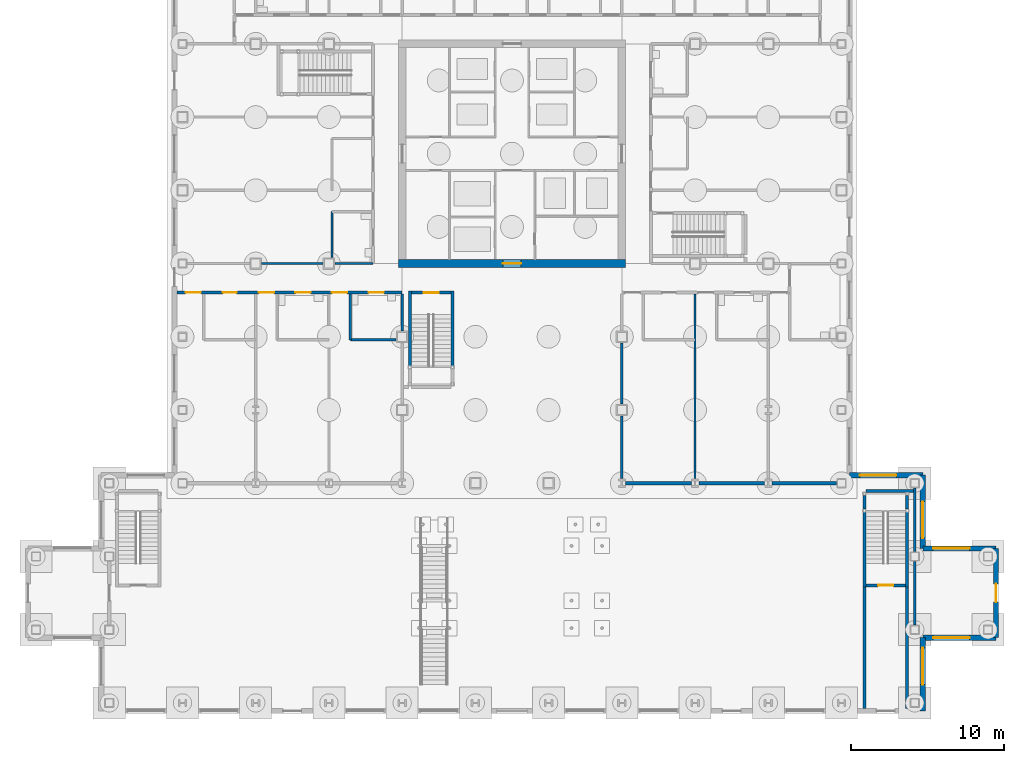
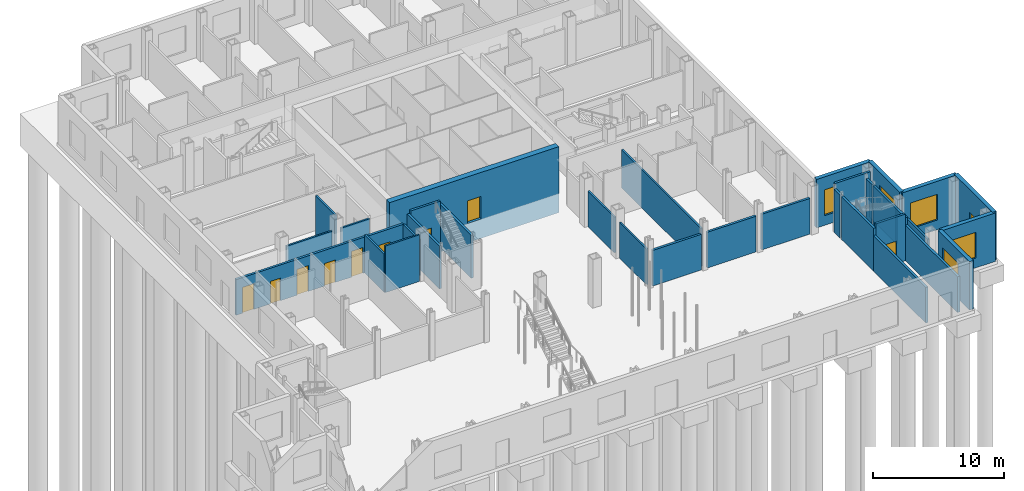
# One storey, part 13 of 22: 33 walls, 10 doors, 5 windows, 15 openings.
"""IFC4 building model written with IfcOpenShell, lengths in metres."""

from ifc_helpers import new_model, si_unit, direction, frame, frame_2d, origin, place, context, subcontext, project, spatial, rectangle, extrude, material, layer, layer_set, type_object, element, fill, save


model = new_model("IFC4")

# Units and contexts
model_context = context("Model", 3, precision=1e-05, world=origin(), true_north=direction((0.0, 1.0)))
body_context = subcontext(model_context, "Body", "Model", "MODEL_VIEW")
ifc_project = project(units=[si_unit("LENGTHUNIT", "METRE"), si_unit("AREAUNIT", "SQUARE_METRE"), si_unit("VOLUMEUNIT", "CUBIC_METRE"), si_unit("PLANEANGLEUNIT", "RADIAN"), si_unit("MASSUNIT", "GRAM", prefix="KILO")], contexts=[model_context])

# Site, building, storey
site_placement = place(None, origin())
site = spatial("IfcSite", under=ifc_project, at=site_placement, CompositionType="ELEMENT")
building_placement = place(site_placement, origin())
building = spatial("IfcBuilding", under=site, at=building_placement, Name="Kvirike Care Tower", CompositionType="ELEMENT")
storey_placement = place(building_placement, origin())
storey = spatial("IfcBuildingStorey", under=building, at=storey_placement, Name="L00", CompositionType="ELEMENT", Elevation=0.0)

# Walls
ifc_material_1 = material(Name="Plasterboard partition", Category="gypsum")
ifc_layer_1 = layer(ifc_material_1, 0.14990234375)
ifc_layer_set_1 = layer_set([ifc_layer_1], Name="CLINIC PARTITION 150")
wall_type_1 = type_object("IfcWallType", Name="CLINIC PARTITION 150", PredefinedType="PARTITIONING", material=ifc_layer_set_1)
wall_1_placement = place(storey_placement, frame((11.0, 23.800048828125, 0.0), z_axis=(0.0, 0.0, 1.0), x_axis=(0.0, 1.0, 0.0)))
element("IfcWall", 1, at=wall_1_placement, inside=storey, type_object=wall_type_1, Name="Clinic Partition 150 L00", PredefinedType="PARTITIONING", context=body_context, shape_type="SweptSolid", body=[
    extrude(rectangle(XDim=3.0, YDim=0.14990234375, at=frame_2d((1.5, 0.0))), origin(), (0.0, 0.0, 1.0), 3.550048828125),
])
for number, where, z_axis, x_axis, name in (
    (2, (11.0, 23.800048828125, 0.0), (0.0, 0.0, 1.0), (1.0, 0.0, 0.0), "Clinic Partition 150 L00"),
    (3, (9.800048828125, 32.199951171875, 0.0), (0.0, 0.0, 1.0), (0.0, -1.0, 0.0), "Clinic Partition 150 L00"),
):
    element("IfcWall", number, at=place(storey_placement, frame(where, z_axis=z_axis, x_axis=x_axis)), inside=storey, type_object=wall_type_1, Name=name, PredefinedType="PARTITIONING", context=body_context, shape_type="SweptSolid", body=[
        extrude(rectangle(XDim=3.0048828125, YDim=0.14990234375, at=frame_2d((1.50244140625, 0.0))), origin(), (0.0, 0.0, 1.0), 4.330078125),
    ])
wall_2_placement = place(storey_placement, frame((33.60009765625, 14.70458984375, 0.0), z_axis=(0.0, 0.0, 1.0), x_axis=(0.0, 1.0, 0.0)))
element("IfcWall", 4, at=wall_2_placement, inside=storey, type_object=wall_type_1, Name="Clinic Partition 150 L00", PredefinedType="PARTITIONING", context=body_context, shape_type="SweptSolid", body=[
    extrude(rectangle(XDim=12.095458984375, YDim=0.14990234375, at=frame_2d((6.0478515625, 0.0))), origin(), (0.0, 0.0, 1.0), 3.550048828125),
])
wall_3_placement = place(storey_placement, frame((48.0, 5.1201171875, 0.0), z_axis=(0.0, 0.0, 1.0), x_axis=(0.0, 1.0, 0.0)))
element("IfcWall", 5, at=wall_3_placement, inside=storey, type_object=wall_type_1, Name="Clinic Partition 150 L00", PredefinedType="PARTITIONING", context=body_context, shape_type="SweptSolid", body=[
    extrude(rectangle(XDim=4.159912109375, YDim=0.14990234375, at=frame_2d((2.080078125, 0.0))), origin(), (0.0, 0.0, 1.0), 3.320068359375),
])
wall_4_placement = place(storey_placement, frame((48.0, 9.919921875, 0.0), z_axis=(0.0, 0.0, 1.0), x_axis=(0.0, 1.0, 0.0)))
element("IfcWall", 6, at=wall_4_placement, inside=storey, type_object=wall_type_1, Name="Clinic Partition 150 L00", PredefinedType="PARTITIONING", context=body_context, shape_type="SweptSolid", body=[
    extrude(rectangle(XDim=4.16015625, YDim=0.14990234375, at=frame_2d((2.080078125, 0.0))), origin(), (0.0, 0.0, 1.0), 3.320068359375),
])
wall_5_placement = place(storey_placement, frame((12.5, 28.800048828125, 0.0), z_axis=(0.0, 0.0, 1.0), x_axis=(-1.0, 0.0, 0.0)))
element("IfcWall", 7, at=wall_5_placement, inside=storey, type_object=wall_type_1, Name="Clinic Partition 150 L00", PredefinedType="PARTITIONING", context=body_context, shape_type="SweptSolid", body=[
    extrude(rectangle(XDim=2.5048828125, YDim=0.14990234375, at=frame_2d((1.25244140625, 0.0))), origin(), (0.0, 0.0, 1.0), 3.320068359375),
])
wall_6_placement = place(storey_placement, frame((9.205078125, 28.800048828125, 0.0), z_axis=(0.0, 0.0, 1.0), x_axis=(-1.0, 0.0, 0.0)))
element("IfcWall", 8, at=wall_6_placement, inside=storey, type_object=wall_type_1, Name="Clinic Partition 150 L00", PredefinedType="PARTITIONING", context=body_context, shape_type="SweptSolid", body=[
    extrude(rectangle(XDim=4.010009765625, YDim=0.14990234375, at=frame_2d((2.0048828125, 0.0))), origin(), (0.0, 0.0, 1.0), 3.320068359375),
])
wall_7_placement = place(storey_placement, frame((14.39990234375, 24.39501953125, 0.0), z_axis=(0.0, 0.0, 1.0), x_axis=(0.0, 1.0, 0.0)))
element("IfcWall", 9, at=wall_7_placement, inside=storey, type_object=wall_type_1, Name="Clinic Partition 150 L00", PredefinedType="PARTITIONING", context=body_context, shape_type="SweptSolid", body=[
    extrude(rectangle(XDim=2.405029296875, YDim=0.14990234375, at=frame_2d((1.20263671875, 0.0))), origin(), (0.0, 0.0, 1.0), 3.320068359375),
])
wall_8_placement = place(storey_placement, frame((28.800048828125, 14.70458984375, 0.0), z_axis=(0.0, 0.0, 1.0), x_axis=(0.0, 1.0, 0.0)))
element("IfcWall", 10, at=wall_8_placement, inside=storey, type_object=wall_type_1, Name="Clinic Partition 150 L00", PredefinedType="PARTITIONING", context=body_context, shape_type="SweptSolid", body=[
    extrude(rectangle(XDim=4.100341796875, YDim=0.14990234375, at=frame_2d((2.05029296875, 0.0))), origin(), (0.0, 0.0, 1.0), 3.320068359375),
])
wall_9_placement = place(storey_placement, frame((28.800048828125, 19.594970703125, 0.0), z_axis=(0.0, 0.0, 1.0), x_axis=(0.0, 1.0, 0.0)))
element("IfcWall", 11, at=wall_9_placement, inside=storey, type_object=wall_type_1, Name="Clinic Partition 150 L00", PredefinedType="PARTITIONING", context=body_context, shape_type="SweptSolid", body=[
    extrude(rectangle(XDim=4.010009765625, YDim=0.14990234375, at=frame_2d((2.0048828125, 0.0))), origin(), (0.0, 0.0, 1.0), 3.320068359375),
])

# Wall, opening, door
ifc_material_2 = material(Name="Concrete C60/75", Category="concrete")
ifc_layer_2 = layer(ifc_material_2, 0.5)
ifc_layer_set_2 = layer_set([ifc_layer_2], Name="CORE WALL 500 C60-75")
wall_type_2 = type_object("IfcWallType", Name="CORE WALL 500 C60-75", PredefinedType="SHEAR", material=ifc_layer_set_2)
wall_10_placement = place(storey_placement, frame((14.14990234375, 28.800048828125, -1.800048828125), z_axis=(0.0, 0.0, 1.0), x_axis=(1.0, 0.0, 0.0)))
wall_10 = element("IfcWall", 12, at=wall_10_placement, inside=storey, type_object=wall_type_2, Name="Core wall S L00", PredefinedType="SHEAR", context=body_context, shape_type="SweptSolid", body=[
    extrude(rectangle(XDim=14.900146484375, YDim=0.5, at=frame_2d((7.4501953125, 0.0))), origin(), (0.0, 0.0, 1.0), 6.130126953125),
])
opening_1_placement = place(wall_10_placement, frame((6.85009765625, 0.0, 1.800048828125)))
opening_1 = element("IfcOpeningElement", 13, at=opening_1_placement, cuts=wall_10, Name="Opening 00-060", PredefinedType="OPENING", context=body_context, shape_type="SweptSolid", body=[
    extrude(rectangle(XDim=1.199951171875, YDim=2.10009765625, at=frame_2d((0.60009765625, 1.050048828125))), frame((0.0, 0.260498046875, 0.0), z_axis=(0.0, -1.0, 0.0), x_axis=(1.0, 0.0, 0.0)), (0.0, 0.0, 1.0), 0.52099609375),
])
ifc_material_3 = material(Name="Timber door set", Category="wood")
door_type_1 = type_object("IfcDoorType", Name="CORE DOOR 1200", OperationType="SINGLE_SWING_LEFT", PredefinedType="DOOR", material=ifc_material_3)
door_1_placement = place(opening_1_placement, origin())
door_1 = element("IfcDoor", 14, at=door_1_placement, inside=storey, type_object=door_type_1, Name="Core door S L00", OperationType="SINGLE_SWING_LEFT", OverallHeight=2.10009765625, OverallWidth=1.199951171875, PredefinedType="DOOR", context=body_context, shape_type="SweptSolid", body=[
    extrude(rectangle(XDim=1.199951171875, YDim=2.10009765625, at=frame_2d((0.60009765625, 1.050048828125))), frame((0.0, 0.02685546875, 0.0), z_axis=(0.0, -1.0, 0.0), x_axis=(1.0, 0.0, 0.0)), (0.0, 0.0, 1.0), 0.053955078125),
])
fill(opening_1, door_1)

# Wall, openings, doors
ifc_material_4 = material(Name="Plasterboard corridor wall", Category="gypsum")
ifc_layer_3 = layer(ifc_material_4, 0.199951171875)
ifc_layer_set_3 = layer_set([ifc_layer_3], Name="CORRIDOR WALL 200")
wall_type_3 = type_object("IfcWallType", Name="CORRIDOR WALL 200", PredefinedType="PARTITIONING", material=ifc_layer_set_3)
wall_11_placement = place(storey_placement, frame((-0.35009765625, 26.89990234375, 0.0), z_axis=(0.0, 0.0, 1.0), x_axis=(1.0, 0.0, 0.0)))
wall_11 = element("IfcWall", 15, at=wall_11_placement, inside=storey, type_object=wall_type_3, Name="Corridor Wall 200 L00", PredefinedType="PARTITIONING", context=body_context, shape_type="SweptSolid", body=[
    extrude(rectangle(XDim=14.75, YDim=0.199951171875, at=frame_2d((7.375, 0.0))), origin(), (0.0, 0.0, 1.0), 3.320068359375),
])
opening_2_placement = place(wall_11_placement, frame((0.550048828125, 0.0, 0.0)))
opening_2 = element("IfcOpeningElement", 16, at=opening_2_placement, cuts=wall_11, Name="Opening 00-001", PredefinedType="OPENING", context=body_context, shape_type="SweptSolid", body=[
    extrude(rectangle(XDim=1.0, YDim=2.39990234375, at=frame_2d((0.5, 1.199951171875))), frame((0.0, 0.110595703125, 0.0), z_axis=(0.0, -1.0, 0.0), x_axis=(1.0, 0.0, 0.0)), (0.0, 0.0, 1.0), 0.220947265625),
])
opening_3_placement = place(wall_11_placement, frame((5.35009765625, 0.0, 0.0)))
opening_3 = element("IfcOpeningElement", 17, at=opening_3_placement, cuts=wall_11, Name="Opening 00-002", PredefinedType="OPENING", context=body_context, shape_type="SweptSolid", body=[
    extrude(rectangle(XDim=1.0, YDim=2.39990234375, at=frame_2d((0.5, 1.199951171875))), frame((0.0, 0.110595703125, 0.0), z_axis=(0.0, -1.0, 0.0), x_axis=(1.0, 0.0, 0.0)), (0.0, 0.0, 1.0), 0.220947265625),
])
opening_4_placement = place(wall_11_placement, frame((10.14990234375, 0.0, 0.0)))
opening_4 = element("IfcOpeningElement", 18, at=opening_4_placement, cuts=wall_11, Name="Opening 00-003", PredefinedType="OPENING", context=body_context, shape_type="SweptSolid", body=[
    extrude(rectangle(XDim=1.0, YDim=2.39990234375, at=frame_2d((0.5, 1.199951171875))), frame((0.0, 0.110595703125, 0.0), z_axis=(0.0, -1.0, 0.0), x_axis=(1.0, 0.0, 0.0)), (0.0, 0.0, 1.0), 0.220947265625),
])
opening_5_placement = place(wall_11_placement, frame((3.0, 0.0, 0.0)))
opening_5 = element("IfcOpeningElement", 19, at=opening_5_placement, cuts=wall_11, Name="Opening 00-004", PredefinedType="OPENING", context=body_context, shape_type="SweptSolid", body=[
    extrude(rectangle(XDim=0.89990234375, YDim=2.10009765625, at=frame_2d((0.449951171875, 1.050048828125))), frame((0.0, 0.110595703125, 0.0), z_axis=(0.0, -1.0, 0.0), x_axis=(1.0, 0.0, 0.0)), (0.0, 0.0, 1.0), 0.220947265625),
])
opening_6_placement = place(wall_11_placement, frame((7.75, 0.0, 0.0)))
opening_6 = element("IfcOpeningElement", 20, at=opening_6_placement, cuts=wall_11, Name="Opening 00-005", PredefinedType="OPENING", context=body_context, shape_type="SweptSolid", body=[
    extrude(rectangle(XDim=1.0, YDim=2.10009765625, at=frame_2d((0.5, 1.050048828125))), frame((0.0, 0.110595703125, 0.0), z_axis=(0.0, -1.0, 0.0), x_axis=(1.0, 0.0, 0.0)), (0.0, 0.0, 1.0), 0.220947265625),
])
opening_7_placement = place(wall_11_placement, frame((12.550048828125, 0.0, 0.0)))
opening_7 = element("IfcOpeningElement", 21, at=opening_7_placement, cuts=wall_11, Name="Opening 00-006", PredefinedType="OPENING", context=body_context, shape_type="SweptSolid", body=[
    extrude(rectangle(XDim=1.0, YDim=2.10009765625, at=frame_2d((0.5, 1.050048828125))), frame((0.0, 0.110595703125, 0.0), z_axis=(0.0, -1.0, 0.0), x_axis=(1.0, 0.0, 0.0)), (0.0, 0.0, 1.0), 0.220947265625),
])
ifc_material_5 = material(Name="Timber door set", Category="wood")
door_type_2 = type_object("IfcDoorType", Name="CONSULTING ROOM DOOR 1000", OperationType="SINGLE_SWING_LEFT", PredefinedType="DOOR", material=ifc_material_5)
door_2_placement = place(opening_2_placement, frame((1.0, 0.0, 0.0), z_axis=(0.0, 0.0, 1.0), x_axis=(-1.0, 0.0, 0.0)))
door_2 = element("IfcDoor", 22, at=door_2_placement, inside=storey, type_object=door_type_2, Name="Outpatient consulting room door", OperationType="SINGLE_SWING_RIGHT", OverallHeight=2.39990234375, OverallWidth=1.0, PredefinedType="DOOR", context=body_context, shape_type="SweptSolid", body=[
    extrude(rectangle(XDim=1.0, YDim=2.39990234375, at=frame_2d((0.5, 1.199951171875))), frame((0.0, 0.02685546875, 0.0), z_axis=(0.0, -1.0, 0.0), x_axis=(1.0, 0.0, 0.0)), (0.0, 0.0, 1.0), 0.053955078125),
])
fill(opening_2, door_2)
door_3_placement = place(opening_3_placement, frame((1.0, 0.0, 0.0), z_axis=(0.0, 0.0, 1.0), x_axis=(-1.0, 0.0, 0.0)))
door_3 = element("IfcDoor", 23, at=door_3_placement, inside=storey, type_object=door_type_2, Name="Outpatient consulting room door", OperationType="SINGLE_SWING_RIGHT", OverallHeight=2.39990234375, OverallWidth=1.0, PredefinedType="DOOR", context=body_context, shape_type="SweptSolid", body=[
    extrude(rectangle(XDim=1.0, YDim=2.39990234375, at=frame_2d((0.5, 1.199951171875))), frame((0.0, 0.02685546875, 0.0), z_axis=(0.0, -1.0, 0.0), x_axis=(1.0, 0.0, 0.0)), (0.0, 0.0, 1.0), 0.053955078125),
])
fill(opening_3, door_3)
door_4_placement = place(opening_4_placement, frame((1.0, 0.0, 0.0), z_axis=(0.0, 0.0, 1.0), x_axis=(-1.0, 0.0, 0.0)))
door_4 = element("IfcDoor", 24, at=door_4_placement, inside=storey, type_object=door_type_2, Name="Outpatient consulting room door", OperationType="SINGLE_SWING_RIGHT", OverallHeight=2.39990234375, OverallWidth=1.0, PredefinedType="DOOR", context=body_context, shape_type="SweptSolid", body=[
    extrude(rectangle(XDim=1.0, YDim=2.39990234375, at=frame_2d((0.5, 1.199951171875))), frame((0.0, 0.02685546875, 0.0), z_axis=(0.0, -1.0, 0.0), x_axis=(1.0, 0.0, 0.0)), (0.0, 0.0, 1.0), 0.053955078125),
])
fill(opening_4, door_4)
ifc_material_6 = material(Name="Timber door set", Category="wood")
door_type_3 = type_object("IfcDoorType", Name="STORE DOOR 900", OperationType="SINGLE_SWING_LEFT", PredefinedType="DOOR", material=ifc_material_6)
door_5_placement = place(opening_5_placement, frame((0.89990234375, 0.0, 0.0), z_axis=(0.0, 0.0, 1.0), x_axis=(-1.0, 0.0, 0.0)))
door_5 = element("IfcDoor", 25, at=door_5_placement, inside=storey, type_object=door_type_3, Name="Clean utility door", OperationType="SINGLE_SWING_RIGHT", OverallHeight=2.10009765625, OverallWidth=0.89990234375, PredefinedType="DOOR", context=body_context, shape_type="SweptSolid", body=[
    extrude(rectangle(XDim=0.89990234375, YDim=2.10009765625, at=frame_2d((0.449951171875, 1.050048828125))), frame((0.0, 0.02685546875, 0.0), z_axis=(0.0, -1.0, 0.0), x_axis=(1.0, 0.0, 0.0)), (0.0, 0.0, 1.0), 0.053955078125),
])
fill(opening_5, door_5)
ifc_material_7 = material(Name="Timber door set", Category="wood")
door_type_4 = type_object("IfcDoorType", Name="WC DOOR 1000", OperationType="SINGLE_SWING_LEFT", PredefinedType="DOOR", material=ifc_material_7)
door_6_placement = place(opening_6_placement, frame((1.0, 0.0, 0.0), z_axis=(0.0, 0.0, 1.0), x_axis=(-1.0, 0.0, 0.0)))
door_6 = element("IfcDoor", 26, at=door_6_placement, inside=storey, type_object=door_type_4, Name="Accessible WC door", OperationType="SINGLE_SWING_LEFT", OverallHeight=2.10009765625, OverallWidth=1.0, PredefinedType="DOOR", context=body_context, shape_type="SweptSolid", body=[
    extrude(rectangle(XDim=1.0, YDim=2.10009765625, at=frame_2d((0.5, 1.050048828125))), frame((0.0, 0.02685546875, 0.0), z_axis=(0.0, -1.0, 0.0), x_axis=(1.0, 0.0, 0.0)), (0.0, 0.0, 1.0), 0.053955078125),
])
fill(opening_6, door_6)
door_7_placement = place(opening_7_placement, frame((1.0, 0.0, 0.0), z_axis=(0.0, 0.0, 1.0), x_axis=(-1.0, 0.0, 0.0)))
door_7 = element("IfcDoor", 27, at=door_7_placement, inside=storey, type_object=door_type_4, Name="Staff WC door", OperationType="SINGLE_SWING_LEFT", OverallHeight=2.10009765625, OverallWidth=1.0, PredefinedType="DOOR", context=body_context, shape_type="SweptSolid", body=[
    extrude(rectangle(XDim=1.0, YDim=2.10009765625, at=frame_2d((0.5, 1.050048828125))), frame((0.0, 0.02685546875, 0.0), z_axis=(0.0, -1.0, 0.0), x_axis=(1.0, 0.0, 0.0)), (0.0, 0.0, 1.0), 0.053955078125),
])
fill(opening_7, door_7)

# Walls
ifc_material_8 = material(Name="Plasterboard party wall", Category="gypsum")
ifc_layer_4 = layer(ifc_material_8, 0.199951171875)
ifc_layer_set_4 = layer_set([ifc_layer_4], Name="PARTY WALL 200")
wall_type_4 = type_object("IfcWallType", Name="PARTY WALL 200", PredefinedType="PARTITIONING", material=ifc_layer_set_4)
wall_12_placement = place(storey_placement, frame((29.047119140625, 14.39990234375, 0.0), z_axis=(0.0, 0.0, 1.0), x_axis=(1.0, 0.0, 0.0)))
element("IfcWall", 28, at=wall_12_placement, inside=storey, type_object=wall_type_4, Name="Party Wall 200 L00", PredefinedType="PARTITIONING", context=body_context, shape_type="SweptSolid", body=[
    extrude(rectangle(XDim=4.305908203125, YDim=0.199951171875, at=frame_2d((2.15283203125, 0.0))), origin(), (0.0, 0.0, 1.0), 3.320068359375),
])
wall_13_placement = place(storey_placement, frame((33.846923828125, 14.39990234375, 0.0), z_axis=(0.0, 0.0, 1.0), x_axis=(1.0, 0.0, 0.0)))
element("IfcWall", 29, at=wall_13_placement, inside=storey, type_object=wall_type_4, Name="Party Wall 200 L00", PredefinedType="PARTITIONING", context=body_context, shape_type="SweptSolid", body=[
    extrude(rectangle(XDim=4.30615234375, YDim=0.199951171875, at=frame_2d((2.153076171875, 0.0))), origin(), (0.0, 0.0, 1.0), 3.320068359375),
])
wall_14_placement = place(storey_placement, frame((38.64697265625, 14.39990234375, 0.0), z_axis=(0.0, 0.0, 1.0), x_axis=(1.0, 0.0, 0.0)))
element("IfcWall", 30, at=wall_14_placement, inside=storey, type_object=wall_type_4, Name="Party Wall 200 L00", PredefinedType="PARTITIONING", context=body_context, shape_type="SweptSolid", body=[
    extrude(rectangle(XDim=4.23291015625, YDim=0.199951171875, at=frame_2d((2.116455078125, 0.0))), origin(), (0.0, 0.0, 1.0), 3.320068359375),
])

# Wall, opening, window
ifc_material_9 = material(Name="Bronze-clad concrete wall", Category="concrete")
ifc_layer_5 = layer(ifc_material_9, 0.35009765625)
ifc_layer_set_5 = layer_set([ifc_layer_5], Name="PODIUM BASE WALL 350")
wall_type_5 = type_object("IfcWallType", Name="PODIUM BASE WALL 350", PredefinedType="SOLIDWALL", material=ifc_layer_set_5)
wall_15_placement = place(storey_placement, frame((48.52490234375, -0.52490234375, 0.0), z_axis=(0.0, 0.0, 1.0), x_axis=(0.0, 1.0, 0.0)))
wall_15 = element("IfcWall", 31, at=wall_15_placement, inside=storey, type_object=wall_type_5, Name="Podium base wall face 2", PredefinedType="SOLIDWALL", context=body_context, shape_type="SweptSolid", body=[
    extrude(rectangle(XDim=4.7998046875, YDim=0.35009765625, at=frame_2d((2.39990234375, 0.0))), origin(), (0.0, 0.0, 1.0), 4.5),
])
opening_8_placement = place(wall_15_placement, frame((1.72509765625, 0.0, 0.89990234375)))
opening_8 = element("IfcOpeningElement", 32, at=opening_8_placement, cuts=wall_15, Name="Opening W02", PredefinedType="OPENING", context=body_context, shape_type="SweptSolid", body=[
    extrude(rectangle(XDim=2.39990234375, YDim=2.39990234375, at=frame_2d((1.199951171875, 1.199951171875))), frame((0.0, 0.185546875, 0.0), z_axis=(0.0, -1.0, 0.0), x_axis=(1.0, 0.0, 0.0)), (0.0, 0.0, 1.0), 0.37109375),
])
ifc_material_10 = material(Name="Bronze anodised aluminium window", Category="aluminium")
window_type = type_object("IfcWindowType", Name="PODIUM WINDOW 2400", PartitioningType="SINGLE_PANEL", PredefinedType="WINDOW", material=ifc_material_10)
window_1_placement = place(opening_8_placement, origin())
window_1 = element("IfcWindow", 33, at=window_1_placement, inside=storey, type_object=window_type, Name="Podium Window 2400 L00", OverallHeight=2.39990234375, OverallWidth=2.39990234375, PartitioningType="SINGLE_PANEL", PredefinedType="WINDOW", context=body_context, shape_type="SweptSolid", body=[
    extrude(rectangle(XDim=2.39990234375, YDim=2.39990234375, at=frame_2d((1.199951171875, 1.199951171875))), frame((0.0, 0.030029296875, 0.0), z_axis=(0.0, -1.0, 0.0), x_axis=(1.0, 0.0, 0.0)), (0.0, 0.0, 1.0), 0.06005859375),
])
fill(opening_8, window_1)

wall_16_placement = place(storey_placement, frame((48.52490234375, 4.27490234375, 0.0), z_axis=(0.0, 0.0, 1.0), x_axis=(1.0, 0.0, 0.0)))
wall_16 = element("IfcWall", 34, at=wall_16_placement, inside=storey, type_object=wall_type_5, Name="Podium base wall face 3", PredefinedType="SOLIDWALL", context=body_context, shape_type="SweptSolid", body=[
    extrude(rectangle(XDim=4.800048828125, YDim=0.35009765625, at=frame_2d((2.39990234375, 0.0))), origin(), (0.0, 0.0, 1.0), 4.5),
])
opening_9_placement = place(wall_16_placement, frame((0.675048828125, 0.0, 0.89990234375)))
opening_9 = element("IfcOpeningElement", 35, at=opening_9_placement, cuts=wall_16, Name="Opening W02", PredefinedType="OPENING", context=body_context, shape_type="SweptSolid", body=[
    extrude(rectangle(XDim=2.39990234375, YDim=2.39990234375, at=frame_2d((1.199951171875, 1.199951171875))), frame((0.0, 0.185546875, 0.0), z_axis=(0.0, -1.0, 0.0), x_axis=(1.0, 0.0, 0.0)), (0.0, 0.0, 1.0), 0.37109375),
])
window_2_placement = place(opening_9_placement, origin())
window_2 = element("IfcWindow", 36, at=window_2_placement, inside=storey, type_object=window_type, Name="Podium Window 2400 L00", OverallHeight=2.39990234375, OverallWidth=2.39990234375, PartitioningType="SINGLE_PANEL", PredefinedType="WINDOW", context=body_context, shape_type="SweptSolid", body=[
    extrude(rectangle(XDim=2.39990234375, YDim=2.39990234375, at=frame_2d((1.199951171875, 1.199951171875))), frame((0.0, 0.030029296875, 0.0), z_axis=(0.0, -1.0, 0.0), x_axis=(1.0, 0.0, 0.0)), (0.0, 0.0, 1.0), 0.06005859375),
])
fill(opening_9, window_2)

# Wall, opening, door
wall_17_placement = place(storey_placement, frame((53.324951171875, 4.27490234375, 0.0), z_axis=(0.0, 0.0, 1.0), x_axis=(0.0, 1.0, 0.0)))
wall_17 = element("IfcWall", 37, at=wall_17_placement, inside=storey, type_object=wall_type_5, Name="Podium base wall face 4", PredefinedType="SOLIDWALL", context=body_context, shape_type="SweptSolid", body=[
    extrude(rectangle(XDim=5.85009765625, YDim=0.35009765625, at=frame_2d((2.925048828125, 0.0))), origin(), (0.0, 0.0, 1.0), 4.5),
])
opening_10_placement = place(wall_17_placement, frame((2.324951171875, 0.0, 0.0)))
opening_10 = element("IfcOpeningElement", 38, at=opening_10_placement, cuts=wall_17, Name="Opening 00-904", PredefinedType="OPENING", context=body_context, shape_type="SweptSolid", body=[
    extrude(rectangle(XDim=1.199951171875, YDim=2.39990234375, at=frame_2d((0.60009765625, 1.199951171875))), frame((0.0, 0.185546875, 0.0), z_axis=(0.0, -1.0, 0.0), x_axis=(1.0, 0.0, 0.0)), (0.0, 0.0, 1.0), 0.37109375),
])
ifc_material_11 = material(Name="Timber door set", Category="wood")
door_type_5 = type_object("IfcDoorType", Name="EXIT DOOR 1200", OperationType="SINGLE_SWING_LEFT", PredefinedType="DOOR", material=ifc_material_11)
door_8_placement = place(opening_10_placement, frame((1.199951171875, 0.0, 0.0), z_axis=(0.0, 0.0, 1.0), x_axis=(-1.0, 0.0, 0.0)))
door_8 = element("IfcDoor", 39, at=door_8_placement, inside=storey, type_object=door_type_5, Name="Pharmacy exit", OperationType="SINGLE_SWING_LEFT", OverallHeight=2.39990234375, OverallWidth=1.199951171875, PredefinedType="DOOR", context=body_context, shape_type="SweptSolid", body=[
    extrude(rectangle(XDim=1.199951171875, YDim=2.39990234375, at=frame_2d((0.60009765625, 1.199951171875))), frame((0.0, 0.02685546875, 0.0), z_axis=(0.0, -1.0, 0.0), x_axis=(1.0, 0.0, 0.0)), (0.0, 0.0, 1.0), 0.053955078125),
])
fill(opening_10, door_8)

# Wall, opening, window
wall_18_placement = place(storey_placement, frame((53.324951171875, 10.125, 0.0), z_axis=(0.0, 0.0, 1.0), x_axis=(-1.0, 0.0, 0.0)))
wall_18 = element("IfcWall", 40, at=wall_18_placement, inside=storey, type_object=wall_type_5, Name="Podium base wall face 5", PredefinedType="SOLIDWALL", context=body_context, shape_type="SweptSolid", body=[
    extrude(rectangle(XDim=4.800048828125, YDim=0.35009765625, at=frame_2d((2.39990234375, 0.0))), origin(), (0.0, 0.0, 1.0), 4.5),
])
opening_11_placement = place(wall_18_placement, frame((1.72509765625, 0.0, 0.89990234375)))
opening_11 = element("IfcOpeningElement", 41, at=opening_11_placement, cuts=wall_18, Name="Opening W02", PredefinedType="OPENING", context=body_context, shape_type="SweptSolid", body=[
    extrude(rectangle(XDim=2.39990234375, YDim=2.39990234375, at=frame_2d((1.199951171875, 1.199951171875))), frame((0.0, 0.185546875, 0.0), z_axis=(0.0, -1.0, 0.0), x_axis=(1.0, 0.0, 0.0)), (0.0, 0.0, 1.0), 0.37109375),
])
window_3_placement = place(opening_11_placement, origin())
window_3 = element("IfcWindow", 42, at=window_3_placement, inside=storey, type_object=window_type, Name="Podium Window 2400 L00", OverallHeight=2.39990234375, OverallWidth=2.39990234375, PartitioningType="SINGLE_PANEL", PredefinedType="WINDOW", context=body_context, shape_type="SweptSolid", body=[
    extrude(rectangle(XDim=2.39990234375, YDim=2.39990234375, at=frame_2d((1.199951171875, 1.199951171875))), frame((0.0, 0.030029296875, 0.0), z_axis=(0.0, -1.0, 0.0), x_axis=(1.0, 0.0, 0.0)), (0.0, 0.0, 1.0), 0.06005859375),
])
fill(opening_11, window_3)

wall_19_placement = place(storey_placement, frame((48.52490234375, 10.125, 0.0), z_axis=(0.0, 0.0, 1.0), x_axis=(0.0, 1.0, 0.0)))
wall_19 = element("IfcWall", 43, at=wall_19_placement, inside=storey, type_object=wall_type_5, Name="Podium base wall face 6", PredefinedType="SOLIDWALL", context=body_context, shape_type="SweptSolid", body=[
    extrude(rectangle(XDim=4.800048828125, YDim=0.35009765625, at=frame_2d((2.39990234375, 0.0))), origin(), (0.0, 0.0, 1.0), 4.5),
])
opening_12_placement = place(wall_19_placement, frame((0.675048828125, 0.0, 0.89990234375)))
opening_12 = element("IfcOpeningElement", 44, at=opening_12_placement, cuts=wall_19, Name="Opening W02", PredefinedType="OPENING", context=body_context, shape_type="SweptSolid", body=[
    extrude(rectangle(XDim=2.39990234375, YDim=2.39990234375, at=frame_2d((1.199951171875, 1.199951171875))), frame((0.0, 0.185546875, 0.0), z_axis=(0.0, -1.0, 0.0), x_axis=(1.0, 0.0, 0.0)), (0.0, 0.0, 1.0), 0.37109375),
])
window_4_placement = place(opening_12_placement, origin())
window_4 = element("IfcWindow", 45, at=window_4_placement, inside=storey, type_object=window_type, Name="Podium Window 2400 L00", OverallHeight=2.39990234375, OverallWidth=2.39990234375, PartitioningType="SINGLE_PANEL", PredefinedType="WINDOW", context=body_context, shape_type="SweptSolid", body=[
    extrude(rectangle(XDim=2.39990234375, YDim=2.39990234375, at=frame_2d((1.199951171875, 1.199951171875))), frame((0.0, 0.030029296875, 0.0), z_axis=(0.0, -1.0, 0.0), x_axis=(1.0, 0.0, 0.0)), (0.0, 0.0, 1.0), 0.06005859375),
])
fill(opening_12, window_4)

wall_20_placement = place(storey_placement, frame((48.52490234375, 14.925048828125, 0.0), z_axis=(0.0, 0.0, 1.0), x_axis=(-1.0, 0.0, 0.0)))
wall_20 = element("IfcWall", 46, at=wall_20_placement, inside=storey, type_object=wall_type_5, Name="Podium base wall face 7", PredefinedType="SOLIDWALL", context=body_context, shape_type="SweptSolid", body=[
    extrude(rectangle(XDim=4.7998046875, YDim=0.35009765625, at=frame_2d((2.39990234375, 0.0))), origin(), (0.0, 0.0, 1.0), 4.5),
])
opening_13_placement = place(wall_20_placement, frame((1.72509765625, 0.0, 0.89990234375)))
opening_13 = element("IfcOpeningElement", 47, at=opening_13_placement, cuts=wall_20, Name="Opening W02", PredefinedType="OPENING", context=body_context, shape_type="SweptSolid", body=[
    extrude(rectangle(XDim=2.39990234375, YDim=2.39990234375, at=frame_2d((1.199951171875, 1.199951171875))), frame((0.0, 0.185546875, 0.0), z_axis=(0.0, -1.0, 0.0), x_axis=(1.0, 0.0, 0.0)), (0.0, 0.0, 1.0), 0.37109375),
])
window_5_placement = place(opening_13_placement, origin())
window_5 = element("IfcWindow", 48, at=window_5_placement, inside=storey, type_object=window_type, Name="Podium Window 2400 L00", OverallHeight=2.39990234375, OverallWidth=2.39990234375, PartitioningType="SINGLE_PANEL", PredefinedType="WINDOW", context=body_context, shape_type="SweptSolid", body=[
    extrude(rectangle(XDim=2.39990234375, YDim=2.39990234375, at=frame_2d((1.199951171875, 1.199951171875))), frame((0.0, 0.030029296875, 0.0), z_axis=(0.0, -1.0, 0.0), x_axis=(1.0, 0.0, 0.0)), (0.0, 0.0, 1.0), 0.06005859375),
])
fill(opening_13, window_5)

# Walls
ifc_material_12 = material(Name="Concrete C40/50", Category="concrete")
ifc_layer_6 = layer(ifc_material_12, 0.199951171875)
ifc_layer_set_6 = layer_set([ifc_layer_6], Name="STAIR WALL 200")
wall_type_6 = type_object("IfcWallType", Name="STAIR WALL 200", PredefinedType="SOLIDWALL", material=ifc_layer_set_6)
for number, where, z_axis, x_axis, name in (
    (49, (14.89990234375, 22.10009765625, 0.0), (0.0, 0.0, 1.0), (0.0, 1.0, 0.0), "Stair Wall 200 L00"),
    (50, (17.699951171875, 22.10009765625, 0.0), (0.0, 0.0, 1.0), (0.0, 1.0, 0.0), "Stair Wall 200 L00"),
):
    element("IfcWall", number, at=place(storey_placement, frame(where, z_axis=z_axis, x_axis=x_axis)), inside=storey, type_object=wall_type_6, Name=name, PredefinedType="SOLIDWALL", context=body_context, shape_type="SweptSolid", body=[
        extrude(rectangle(XDim=4.89990234375, YDim=0.199951171875, at=frame_2d((2.449951171875, 0.0))), origin(), (0.0, 0.0, 1.0), 3.989990234375),
    ])

# Wall, opening, door
wall_21_placement = place(storey_placement, frame((15.0, 26.89990234375, 0.0), z_axis=(0.0, 0.0, 1.0), x_axis=(1.0, 0.0, 0.0)))
wall_21 = element("IfcWall", 51, at=wall_21_placement, inside=storey, type_object=wall_type_6, Name="Stair Wall 200 L00", PredefinedType="SOLIDWALL", context=body_context, shape_type="SweptSolid", body=[
    extrude(rectangle(XDim=2.60009765625, YDim=0.199951171875, at=frame_2d((1.300048828125, 0.0))), origin(), (0.0, 0.0, 1.0), 4.330078125),
])
opening_14_placement = place(wall_21_placement, frame((0.800048828125, 0.0, 0.0)))
opening_14 = element("IfcOpeningElement", 52, at=opening_14_placement, cuts=wall_21, Name="Opening 00-018", PredefinedType="OPENING", context=body_context, shape_type="SweptSolid", body=[
    extrude(rectangle(XDim=1.0, YDim=2.10009765625, at=frame_2d((0.5, 1.050048828125))), frame((0.0, 0.110595703125, 0.0), z_axis=(0.0, -1.0, 0.0), x_axis=(1.0, 0.0, 0.0)), (0.0, 0.0, 1.0), 0.220947265625),
])
ifc_material_13 = material(Name="Timber door set", Category="wood")
door_type_6 = type_object("IfcDoorType", Name="STAIR DOOR 1000", OperationType="SINGLE_SWING_LEFT", PredefinedType="DOOR", material=ifc_material_13)
door_9_placement = place(opening_14_placement, frame((1.0, 0.0, 0.0), z_axis=(0.0, 0.0, 1.0), x_axis=(-1.0, 0.0, 0.0)))
door_9 = element("IfcDoor", 53, at=door_9_placement, inside=storey, type_object=door_type_6, Name="Stair 5 door", OperationType="SINGLE_SWING_RIGHT", OverallHeight=2.10009765625, OverallWidth=1.0, PredefinedType="DOOR", context=body_context, shape_type="SweptSolid", body=[
    extrude(rectangle(XDim=1.0, YDim=2.10009765625, at=frame_2d((0.5, 1.050048828125))), frame((0.0, 0.031982421875, 0.0), z_axis=(0.0, -1.0, 0.0), x_axis=(1.0, 0.0, 0.0)), (0.0, 0.0, 1.0), 0.06396484375),
])
fill(opening_14, door_9)

# Walls
wall_22_placement = place(storey_placement, frame((44.699951171875, 13.60009765625, 0.0), z_axis=(0.0, 0.0, 1.0), x_axis=(0.0, -1.0, 0.0)))
element("IfcWall", 54, at=wall_22_placement, inside=storey, type_object=wall_type_6, Name="Stair Wall 200 L00", PredefinedType="SOLIDWALL", context=body_context, shape_type="SweptSolid", body=[
    extrude(rectangle(XDim=0.900146484375, YDim=0.199951171875, at=frame_2d((0.4501953125, 0.0))), origin(), (0.0, 0.0, 1.0), 3.989990234375),
])
wall_23_placement = place(storey_placement, frame((44.699951171875, 12.5, 0.0), z_axis=(0.0, 0.0, 1.0), x_axis=(0.0, -1.0, 0.0)))
element("IfcWall", 55, at=wall_23_placement, inside=storey, type_object=wall_type_6, Name="Stair Wall 200 L00", PredefinedType="SOLIDWALL", context=body_context, shape_type="SweptSolid", body=[
    extrude(rectangle(XDim=4.89990234375, YDim=0.199951171875, at=frame_2d((2.449951171875, 0.0))), origin(), (0.0, 0.0, 1.0), 3.989990234375),
])
wall_24_placement = place(storey_placement, frame((47.5, 13.60009765625, 0.0), z_axis=(0.0, 0.0, 1.0), x_axis=(0.0, -1.0, 0.0)))
element("IfcWall", 56, at=wall_24_placement, inside=storey, type_object=wall_type_6, Name="Stair Wall 200 L00", PredefinedType="SOLIDWALL", context=body_context, shape_type="SweptSolid", body=[
    extrude(rectangle(XDim=0.900146484375, YDim=0.199951171875, at=frame_2d((0.4501953125, 0.0))), origin(), (0.0, 0.0, 1.0), 3.989990234375),
])
wall_25_placement = place(storey_placement, frame((47.5, 12.5, 0.0), z_axis=(0.0, 0.0, 1.0), x_axis=(0.0, -1.0, 0.0)))
element("IfcWall", 57, at=wall_25_placement, inside=storey, type_object=wall_type_6, Name="Stair Wall 200 L00", PredefinedType="SOLIDWALL", context=body_context, shape_type="SweptSolid", body=[
    extrude(rectangle(XDim=4.89990234375, YDim=0.199951171875, at=frame_2d((2.449951171875, 0.0))), origin(), (0.0, 0.0, 1.0), 3.989990234375),
])
wall_26_placement = place(storey_placement, frame((44.800048828125, 13.89990234375, 0.0), z_axis=(0.0, 0.0, 1.0), x_axis=(1.0, 0.0, 0.0)))
element("IfcWall", 58, at=wall_26_placement, inside=storey, type_object=wall_type_6, Name="Stair Wall 200 L00", PredefinedType="SOLIDWALL", context=body_context, shape_type="SweptSolid", body=[
    extrude(rectangle(XDim=3.125, YDim=0.199951171875, at=frame_2d((1.5625, 0.0))), origin(), (0.0, 0.0, 1.0), 4.330078125),
])

# Wall, opening, door
wall_27_placement = place(storey_placement, frame((44.800048828125, 7.699951171875, 0.0), z_axis=(0.0, 0.0, 1.0), x_axis=(1.0, 0.0, 0.0)))
wall_27 = element("IfcWall", 59, at=wall_27_placement, inside=storey, type_object=wall_type_6, Name="Stair Wall 200 L00", PredefinedType="SOLIDWALL", context=body_context, shape_type="SweptSolid", body=[
    extrude(rectangle(XDim=2.599853515625, YDim=0.199951171875, at=frame_2d((1.2998046875, 0.0))), origin(), (0.0, 0.0, 1.0), 4.330078125),
])
opening_15_placement = place(wall_27_placement, frame((0.800048828125, 0.0, 0.0)))
opening_15 = element("IfcOpeningElement", 60, at=opening_15_placement, cuts=wall_27, Name="Opening 00-042", PredefinedType="OPENING", context=body_context, shape_type="SweptSolid", body=[
    extrude(rectangle(XDim=1.0, YDim=2.10009765625, at=frame_2d((0.5, 1.050048828125))), frame((0.0, 0.110595703125, 0.0), z_axis=(0.0, -1.0, 0.0), x_axis=(1.0, 0.0, 0.0)), (0.0, 0.0, 1.0), 0.220947265625),
])
door_10_placement = place(opening_15_placement, origin())
door_10 = element("IfcDoor", 61, at=door_10_placement, inside=storey, type_object=door_type_6, Name="Stair 4 door", OperationType="SINGLE_SWING_LEFT", OverallHeight=2.10009765625, OverallWidth=1.0, PredefinedType="DOOR", context=body_context, shape_type="SweptSolid", body=[
    extrude(rectangle(XDim=1.0, YDim=2.10009765625, at=frame_2d((0.5, 1.050048828125))), frame((0.0, 0.031982421875, 0.0), z_axis=(0.0, -1.0, 0.0), x_axis=(1.0, 0.0, 0.0)), (0.0, 0.0, 1.0), 0.06396484375),
])
fill(opening_15, door_10)

# Walls
for number, where, z_axis, x_axis, name in (
    (62, (44.699951171875, 7.60009765625, 0.0), (0.0, 0.0, 1.0), (0.0, -1.0, 0.0), "Stair Wall 200 L00"),
    (63, (47.5, 7.60009765625, 0.0), (0.0, 0.0, 1.0), (0.0, -1.0, 0.0), "Stair Wall 200 L00"),
):
    element("IfcWall", number, at=place(storey_placement, frame(where, z_axis=z_axis, x_axis=x_axis)), inside=storey, type_object=wall_type_6, Name=name, PredefinedType="SOLIDWALL", context=body_context, shape_type="SweptSolid", body=[
        extrude(rectangle(XDim=7.9501953125, YDim=0.199951171875, at=frame_2d((3.97509765625, 0.0))), origin(), (0.0, 0.0, 1.0), 3.320068359375),
    ])

save(model, "model.ifc")
